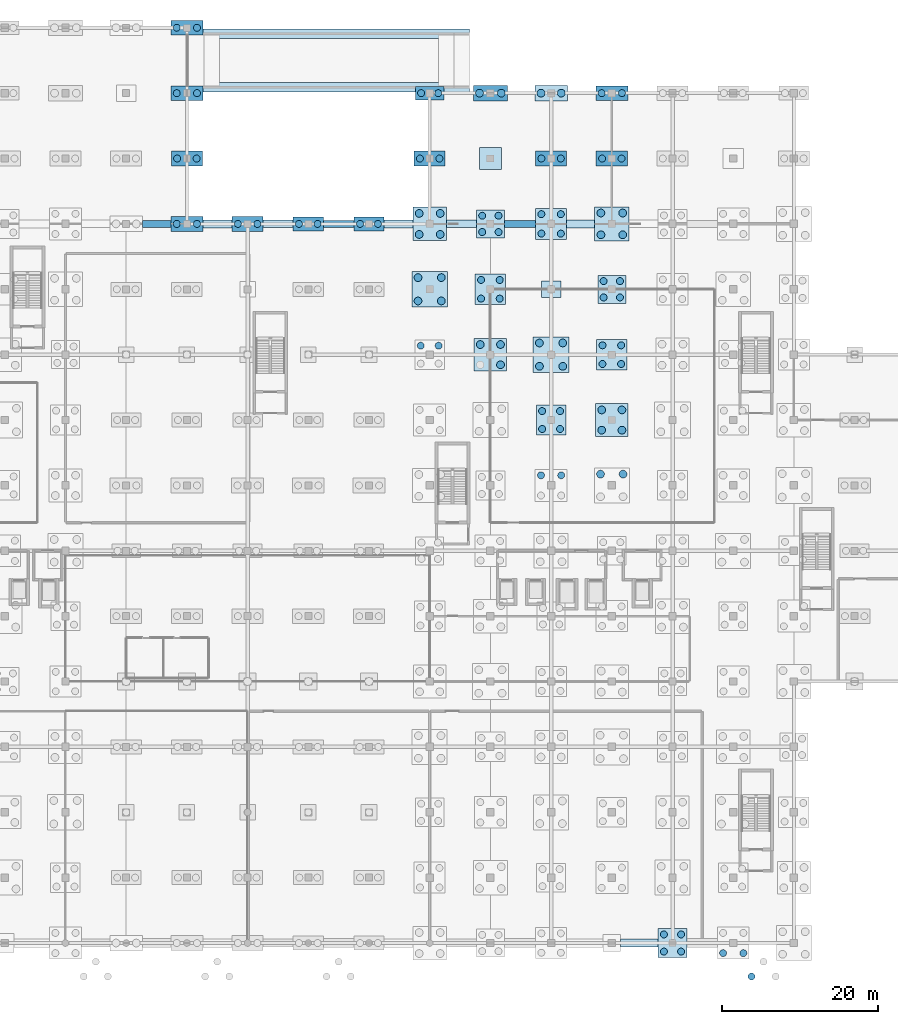
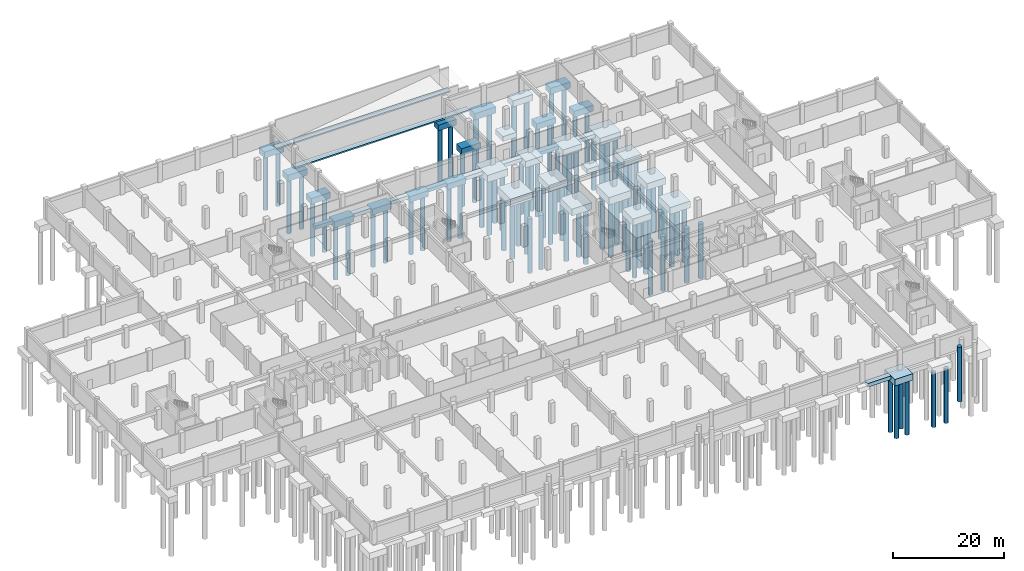
# One storey, part 6 of 30: 88 piles, 40 footings.
"""IFC4 building model written with IfcOpenShell, lengths in metres."""

from ifc_helpers import new_model, si_unit, direction, frame, origin, origin_2d, place, context, subcontext, project, spatial, rectangle, circle, extrude, material, layer, layer_set, material_profile, profile_set, type_object, element, save


model = new_model("IFC4")

# Units and contexts
model_context = context("Model", 3, precision=1e-05, world=origin(), true_north=direction((0.0, 1.0)))
body_context = subcontext(model_context, "Body", "Model", "MODEL_VIEW")
ifc_project = project(units=[si_unit("LENGTHUNIT", "METRE"), si_unit("AREAUNIT", "SQUARE_METRE"), si_unit("VOLUMEUNIT", "CUBIC_METRE"), si_unit("PLANEANGLEUNIT", "RADIAN"), si_unit("MASSUNIT", "GRAM", prefix="KILO"), si_unit("THERMODYNAMICTEMPERATUREUNIT", "KELVIN"), si_unit("POWERUNIT", "WATT")], contexts=[model_context])

# Site, building, storey
site_placement = place(None, origin())
site = spatial("IfcSite", under=ifc_project, at=site_placement, CompositionType="ELEMENT")
building_placement = place(site_placement, origin())
building = spatial("IfcBuilding", under=site, at=building_placement, Name="Srebrne Nadtorze General Hospital", CompositionType="ELEMENT")
storey_placement = place(building_placement, frame((0.0, 0.0, -4.5)))
storey = spatial("IfcBuildingStorey", under=building, at=storey_placement, Name="B1", CompositionType="ELEMENT", Elevation=-4.5)

# Piles
ifc_material_1 = material(Name="Concrete C35/45", Category="concrete")
ifc_material_profile_1 = material_profile(ifc_material_1, circle(Radius=0.5, at=origin_2d()), Name="PILE-D1000")
ifc_profile_set_1 = profile_set([ifc_material_profile_1], Name="Concrete C35/45")
pile_type_1 = type_object("IfcPileType", Name="Bored concrete pile D1000", PredefinedType="BORED", material=ifc_profile_set_1)
for number, where, z_axis, x_axis, name in (
    (1, (99.89990234375, 82.5, -2.199951171875), (0.0, 0.0, -1.0), (1.0, 0.0, 0.0), "Bored pile PL-B1-0452"),
    (2, (102.89990234375, 82.5, -2.199951171875), (0.0, 0.0, -1.0), (1.0, 0.0, 0.0), "Bored pile PL-B1-0453"),
    (3, (102.89990234375, 85.5, -2.199951171875), (0.0, 0.0, -1.0), (1.0, 0.0, 0.0), "Bored pile PL-B1-0454"),
    (4, (99.89990234375, 85.5, -2.199951171875), (0.0, 0.0, -1.0), (1.0, 0.0, 0.0), "Bored pile PL-B1-0455"),
    (5, (100.050048828125, 91.050048828125, -2.14990234375), (0.0, 0.0, -1.0), (1.0, 0.0, 0.0), "Bored pile PL-B1-0456"),
    (6, (102.75, 91.050048828125, -2.14990234375), (0.0, 0.0, -1.0), (1.0, 0.0, 0.0), "Bored pile PL-B1-0457"),
    (7, (102.75, 93.75, -2.14990234375), (0.0, 0.0, -1.0), (1.0, 0.0, 0.0), "Bored pile PL-B1-0458"),
    (8, (100.050048828125, 93.75, -2.14990234375), (0.0, 0.0, -1.0), (1.0, 0.0, 0.0), "Bored pile PL-B1-0459"),
    (9, (110.5, 74.300048828125, -2.10009765625), (0.0, 0.0, -1.0), (1.0, 0.0, 0.0), "Bored pile PL-B1-0501"),
    (10, (110.5, 76.89990234375, -2.10009765625), (0.0, 0.0, -1.0), (1.0, 0.0, 0.0), "Bored pile PL-B1-0502"),
    (11, (107.89990234375, 76.89990234375, -2.10009765625), (0.0, 0.0, -1.0), (1.0, 0.0, 0.0), "Bored pile PL-B1-0503"),
    (12, (107.800048828125, 109.199951171875, -2.0), (0.0, 0.0, -1.0), (1.0, 0.0, 0.0), "Bored pile PL-B1-0512"),
    (13, (110.60009765625, 109.199951171875, -2.0), (0.0, 0.0, -1.0), (1.0, 0.0, 0.0), "Bored pile PL-B1-0513"),
    (14, (115.5, 74.10009765625, -2.199951171875), (0.0, 0.0, -1.0), (1.0, 0.0, 0.0), "Bored pile PL-B1-0550"),
    (15, (118.5, 74.10009765625, -2.199951171875), (0.0, 0.0, -1.0), (1.0, 0.0, 0.0), "Bored pile PL-B1-0551"),
    (16, (118.5, 77.10009765625, -2.199951171875), (0.0, 0.0, -1.0), (1.0, 0.0, 0.0), "Bored pile PL-B1-0552"),
    (17, (115.5, 77.10009765625, -2.199951171875), (0.0, 0.0, -1.0), (1.0, 0.0, 0.0), "Bored pile PL-B1-0553"),
    (18, (115.699951171875, 109.199951171875, -1.949951171875), (0.0, 0.0, -1.0), (1.0, 0.0, 0.0), "Bored pile PL-B1-0560"),
    (19, (118.300048828125, 109.199951171875, -1.949951171875), (0.0, 0.0, -1.0), (1.0, 0.0, 0.0), "Bored pile PL-B1-0561"),
    (20, (126.25, 60.25, -2.199951171875), (0.0, 0.0, -1.0), (1.0, 0.0, 0.0), "Bored pile PL-B1-0588"),
    (21, (123.35009765625, 60.25, -2.199951171875), (0.0, 0.0, -1.0), (1.0, 0.0, 0.0), "Bored pile PL-B1-0589"),
    (22, (123.5, 65.89990234375, -2.10009765625), (0.0, 0.0, -1.0), (1.0, 0.0, 0.0), "Bored pile PL-B1-0590"),
    (23, (126.10009765625, 65.89990234375, -2.10009765625), (0.0, 0.0, -1.0), (1.0, 0.0, 0.0), "Bored pile PL-B1-0591"),
    (24, (126.10009765625, 68.5, -2.10009765625), (0.0, 0.0, -1.0), (1.0, 0.0, 0.0), "Bored pile PL-B1-0592"),
    (25, (123.5, 68.5, -2.10009765625), (0.0, 0.0, -1.0), (1.0, 0.0, 0.0), "Bored pile PL-B1-0593"),
    (26, (123.39990234375, 91.0, -2.14990234375), (0.0, 0.0, -1.0), (1.0, 0.0, 0.0), "Bored pile PL-B1-0602"),
    (27, (126.199951171875, 91.0, -2.14990234375), (0.0, 0.0, -1.0), (1.0, 0.0, 0.0), "Bored pile PL-B1-0603"),
    (28, (126.199951171875, 93.800048828125, -2.14990234375), (0.0, 0.0, -1.0), (1.0, 0.0, 0.0), "Bored pile PL-B1-0604"),
    (29, (123.39990234375, 93.800048828125, -2.14990234375), (0.0, 0.0, -1.0), (1.0, 0.0, 0.0), "Bored pile PL-B1-0605"),
):
    element("IfcPile", number, at=place(storey_placement, frame(where, z_axis=z_axis, x_axis=x_axis)), inside=storey, type_object=pile_type_1, Name=name, PredefinedType="BORED", context=body_context, shape_type="SweptSolid", body=[
        extrude(circle(Radius=0.5, at=origin_2d()), origin(), (0.0, 0.0, 1.0), 12.0),
    ])
ifc_material_2 = material(Name="Concrete C35/45", Category="concrete")
ifc_material_profile_2 = material_profile(ifc_material_2, circle(Radius=0.449951171875, at=origin_2d()), Name="PILE-D900")
ifc_profile_set_2 = profile_set([ifc_material_profile_2], Name="Concrete C35/45")
pile_type_2 = type_object("IfcPileType", Name="Bored concrete pile D900", PredefinedType="BORED", material=ifc_profile_set_2)
for number, where, z_axis, x_axis, name in (
    (30, (68.89990234375, 92.39990234375, -1.949951171875), (0.0, 0.0, -1.0), (1.0, 0.0, 0.0), "Bored pile PL-B1-0343"),
    (31, (71.5, 92.39990234375, -1.949951171875), (0.0, 0.0, -1.0), (1.0, 0.0, 0.0), "Bored pile PL-B1-0344"),
    (32, (68.949951171875, 100.800048828125, -1.89990234375), (0.0, 0.0, -1.0), (1.0, 0.0, 0.0), "Bored pile PL-B1-0345"),
    (33, (71.449951171875, 100.800048828125, -1.89990234375), (0.0, 0.0, -1.0), (1.0, 0.0, 0.0), "Bored pile PL-B1-0346"),
    (34, (68.89990234375, 109.199951171875, -1.949951171875), (0.0, 0.0, -1.0), (1.0, 0.0, 0.0), "Bored pile PL-B1-0347"),
    (35, (71.5, 109.199951171875, -1.949951171875), (0.0, 0.0, -1.0), (1.0, 0.0, 0.0), "Bored pile PL-B1-0348"),
    (36, (68.89990234375, 117.60009765625, -1.949951171875), (0.0, 0.0, -1.0), (1.0, 0.0, 0.0), "Bored pile PL-B1-0349"),
    (37, (71.5, 117.60009765625, -1.949951171875), (0.0, 0.0, -1.0), (1.0, 0.0, 0.0), "Bored pile PL-B1-0350"),
    (38, (76.75, 92.39990234375, -1.89990234375), (0.0, 0.0, -1.0), (1.0, 0.0, 0.0), "Bored pile PL-B1-0368"),
    (39, (79.25, 92.39990234375, -1.89990234375), (0.0, 0.0, -1.0), (1.0, 0.0, 0.0), "Bored pile PL-B1-0369"),
    (40, (84.60009765625, 92.39990234375, -1.89990234375), (0.0, 0.0, -1.0), (1.0, 0.0, 0.0), "Bored pile PL-B1-0389"),
    (41, (87.0, 92.39990234375, -1.89990234375), (0.0, 0.0, -1.0), (1.0, 0.0, 0.0), "Bored pile PL-B1-0390"),
    (42, (92.449951171875, 92.39990234375, -1.85009765625), (0.0, 0.0, -1.0), (1.0, 0.0, 0.0), "Bored pile PL-B1-0410"),
    (43, (94.75, 92.39990234375, -1.85009765625), (0.0, 0.0, -1.0), (1.0, 0.0, 0.0), "Bored pile PL-B1-0411"),
    (44, (102.550048828125, 76.75, -2.0), (0.0, 0.0, -1.0), (1.0, 0.0, 0.0), "Bored pile PL-B1-0450"),
    (45, (100.25, 76.75, -2.0), (0.0, 0.0, -1.0), (1.0, 0.0, 0.0), "Bored pile PL-B1-0451"),
    (46, (100.14990234375, 100.800048828125, -1.89990234375), (0.0, 0.0, -1.0), (1.0, 0.0, 0.0), "Bored pile PL-B1-0460"),
    (47, (102.64990234375, 100.800048828125, -1.89990234375), (0.0, 0.0, -1.0), (1.0, 0.0, 0.0), "Bored pile PL-B1-0461"),
    (48, (100.300048828125, 109.199951171875, -1.85009765625), (0.0, 0.0, -1.0), (1.0, 0.0, 0.0), "Bored pile PL-B1-0462"),
    (49, (102.5, 109.199951171875, -1.85009765625), (0.0, 0.0, -1.0), (1.0, 0.0, 0.0), "Bored pile PL-B1-0463"),
    (50, (108.0, 82.800048828125, -2.050048828125), (0.0, 0.0, -1.0), (1.0, 0.0, 0.0), "Bored pile PL-B1-0504"),
    (51, (110.39990234375, 82.800048828125, -2.050048828125), (0.0, 0.0, -1.0), (1.0, 0.0, 0.0), "Bored pile PL-B1-0505"),
    (52, (110.39990234375, 85.199951171875, -2.050048828125), (0.0, 0.0, -1.0), (1.0, 0.0, 0.0), "Bored pile PL-B1-0506"),
    (53, (108.0, 85.199951171875, -2.050048828125), (0.0, 0.0, -1.0), (1.0, 0.0, 0.0), "Bored pile PL-B1-0507"),
    (54, (108.14990234375, 91.35009765625, -1.949951171875), (0.0, 0.0, -1.0), (1.0, 0.0, 0.0), "Bored pile PL-B1-0508"),
    (55, (110.25, 91.35009765625, -1.949951171875), (0.0, 0.0, -1.0), (1.0, 0.0, 0.0), "Bored pile PL-B1-0509"),
    (56, (110.25, 93.449951171875, -1.949951171875), (0.0, 0.0, -1.0), (1.0, 0.0, 0.0), "Bored pile PL-B1-0510"),
    (57, (108.14990234375, 93.449951171875, -1.949951171875), (0.0, 0.0, -1.0), (1.0, 0.0, 0.0), "Bored pile PL-B1-0511"),
    (58, (118.300048828125, 60.10009765625, -2.10009765625), (0.0, 0.0, -1.0), (1.0, 0.0, 0.0), "Bored pile PL-B1-0544"),
    (59, (115.699951171875, 60.10009765625, -2.10009765625), (0.0, 0.0, -1.0), (1.0, 0.0, 0.0), "Bored pile PL-B1-0545"),
    (60, (115.85009765625, 66.050048828125, -2.0), (0.0, 0.0, -1.0), (1.0, 0.0, 0.0), "Bored pile PL-B1-0546"),
    (61, (118.14990234375, 66.050048828125, -2.0), (0.0, 0.0, -1.0), (1.0, 0.0, 0.0), "Bored pile PL-B1-0547"),
    (62, (118.14990234375, 68.35009765625, -2.0), (0.0, 0.0, -1.0), (1.0, 0.0, 0.0), "Bored pile PL-B1-0548"),
    (63, (115.85009765625, 68.35009765625, -2.0), (0.0, 0.0, -1.0), (1.0, 0.0, 0.0), "Bored pile PL-B1-0549"),
    (64, (115.75, 91.14990234375, -2.050048828125), (0.0, 0.0, -1.0), (1.0, 0.0, 0.0), "Bored pile PL-B1-0554"),
    (65, (118.25, 91.14990234375, -2.050048828125), (0.0, 0.0, -1.0), (1.0, 0.0, 0.0), "Bored pile PL-B1-0555"),
    (66, (118.25, 93.64990234375, -2.050048828125), (0.0, 0.0, -1.0), (1.0, 0.0, 0.0), "Bored pile PL-B1-0556"),
    (67, (115.75, 93.64990234375, -2.050048828125), (0.0, 0.0, -1.0), (1.0, 0.0, 0.0), "Bored pile PL-B1-0557"),
    (68, (115.75, 100.800048828125, -1.89990234375), (0.0, 0.0, -1.0), (1.0, 0.0, 0.0), "Bored pile PL-B1-0558"),
    (69, (118.25, 100.800048828125, -1.89990234375), (0.0, 0.0, -1.0), (1.0, 0.0, 0.0), "Bored pile PL-B1-0559"),
    (70, (123.60009765625, 74.39990234375, -2.050048828125), (0.0, 0.0, -1.0), (1.0, 0.0, 0.0), "Bored pile PL-B1-0594"),
    (71, (126.0, 74.39990234375, -2.050048828125), (0.0, 0.0, -1.0), (1.0, 0.0, 0.0), "Bored pile PL-B1-0595"),
    (72, (126.0, 76.800048828125, -2.050048828125), (0.0, 0.0, -1.0), (1.0, 0.0, 0.0), "Bored pile PL-B1-0596"),
    (73, (123.60009765625, 76.800048828125, -2.050048828125), (0.0, 0.0, -1.0), (1.0, 0.0, 0.0), "Bored pile PL-B1-0597"),
    (74, (123.75, 82.949951171875, -1.949951171875), (0.0, 0.0, -1.0), (1.0, 0.0, 0.0), "Bored pile PL-B1-0598"),
    (75, (125.85009765625, 82.949951171875, -1.949951171875), (0.0, 0.0, -1.0), (1.0, 0.0, 0.0), "Bored pile PL-B1-0599"),
    (76, (125.85009765625, 85.050048828125, -1.949951171875), (0.0, 0.0, -1.0), (1.0, 0.0, 0.0), "Bored pile PL-B1-0600"),
    (77, (123.75, 85.050048828125, -1.949951171875), (0.0, 0.0, -1.0), (1.0, 0.0, 0.0), "Bored pile PL-B1-0601"),
    (78, (123.550048828125, 100.800048828125, -1.89990234375), (0.0, 0.0, -1.0), (1.0, 0.0, 0.0), "Bored pile PL-B1-0606"),
    (79, (126.050048828125, 100.800048828125, -1.89990234375), (0.0, 0.0, -1.0), (1.0, 0.0, 0.0), "Bored pile PL-B1-0607"),
    (80, (123.5, 109.199951171875, -1.949951171875), (0.0, 0.0, -1.0), (1.0, 0.0, 0.0), "Bored pile PL-B1-0608"),
    (81, (126.10009765625, 109.199951171875, -1.949951171875), (0.0, 0.0, -1.0), (1.0, 0.0, 0.0), "Bored pile PL-B1-0609"),
    (82, (131.5, -1.10009765625, -2.0), (0.0, 0.0, -1.0), (1.0, 0.0, 0.0), "Bored pile PL-B1-0610"),
    (83, (133.699951171875, -1.10009765625, -2.0), (0.0, 0.0, -1.0), (1.0, 0.0, 0.0), "Bored pile PL-B1-0611"),
    (84, (133.699951171875, 1.10009765625, -2.0), (0.0, 0.0, -1.0), (1.0, 0.0, 0.0), "Bored pile PL-B1-0612"),
    (85, (131.5, 1.10009765625, -2.0), (0.0, 0.0, -1.0), (1.0, 0.0, 0.0), "Bored pile PL-B1-0613"),
    (86, (139.10009765625, -1.300048828125, -2.10009765625), (0.0, 0.0, -1.0), (1.0, 0.0, 0.0), "Bored pile PL-B1-0662"),
    (87, (141.699951171875, -1.300048828125, -2.10009765625), (0.0, 0.0, -1.0), (1.0, 0.0, 0.0), "Bored pile PL-B1-0663"),
    (88, (142.75, -4.300048828125, 4.080078125), (0.0, 0.0, -1.0), (1.0, 0.0, 0.0), "Accessible ramp support pile 4 1"),
):
    element("IfcPile", number, at=place(storey_placement, frame(where, z_axis=z_axis, x_axis=x_axis)), inside=storey, type_object=pile_type_2, Name=name, PredefinedType="BORED", context=body_context, shape_type="SweptSolid", body=[
        extrude(circle(Radius=0.449951171875, at=origin_2d()), origin(), (0.0, 0.0, 1.0), 12.0),
    ])

# Footings
ifc_material_3 = material(Name="Concrete C35/45", Category="concrete")
ifc_layer_1 = layer(ifc_material_3, 1.35009765625)
ifc_layer_set_1 = layer_set([ifc_layer_1], Name="Concrete C35/45")
footing_type_1 = type_object("IfcFootingType", Name="Bored pile cap 3600x3600x1350", PredefinedType="PILE_CAP", material=ifc_layer_set_1)
for number, where, z_axis, x_axis, name in (
    (89, (109.199951171875, 92.39990234375, -1.949951171875), (0.0, 0.0, 1.0), (1.0, 0.0, 0.0), "Pile cap FT-B1-15-M"),
    (90, (124.800048828125, 84.0, -1.949951171875), (0.0, 0.0, 1.0), (1.0, 0.0, 0.0), "Pile cap FT-B1-17-L"),
):
    element("IfcFooting", number, at=place(storey_placement, frame(where, z_axis=z_axis, x_axis=x_axis)), inside=storey, type_object=footing_type_1, Name=name, PredefinedType="PILE_CAP", context=body_context, shape_type="SweptSolid", body=[
        extrude(rectangle(XDim=3.60009765625, YDim=3.60009765625, at=origin_2d()), origin(), (0.0, 0.0, 1.0), 1.35009765625),
    ])
ifc_material_4 = material(Name="Concrete C35/45", Category="concrete")
ifc_layer_2 = layer(ifc_material_4, 1.25)
ifc_layer_set_2 = layer_set([ifc_layer_2], Name="Concrete C35/45")
footing_type_2 = type_object("IfcFootingType", Name="Bored pile cap 3700x1750x1250", PredefinedType="PILE_CAP", material=ifc_layer_set_2)
footing_1_placement = place(storey_placement, frame((101.39990234375, 109.199951171875, -1.85009765625), z_axis=(0.0, 0.0, 1.0), x_axis=(1.0, 0.0, 0.0)))
element("IfcFooting", 91, at=footing_1_placement, inside=storey, type_object=footing_type_2, Name="Pile cap FT-B1-14-P", PredefinedType="PILE_CAP", context=body_context, shape_type="SweptSolid", body=[
    extrude(rectangle(XDim=3.699951171875, YDim=1.75, at=origin_2d()), origin(), (0.0, 0.0, 1.0), 1.25),
])
ifc_material_5 = material(Name="Concrete C35/45", Category="concrete")
ifc_layer_3 = layer(ifc_material_5, 1.39990234375)
ifc_layer_set_3 = layer_set([ifc_layer_3], Name="Concrete C35/45")
footing_type_3 = type_object("IfcFootingType", Name="Bored pile cap 3700x3700x1400", PredefinedType="PILE_CAP", material=ifc_layer_set_3)
footing_2_placement = place(storey_placement, frame((132.60009765625, 0.0, -2.0), z_axis=(0.0, 0.0, 1.0), x_axis=(1.0, 0.0, 0.0)))
element("IfcFooting", 92, at=footing_2_placement, inside=storey, type_object=footing_type_3, Name="Pile cap FT-B1-18-A", PredefinedType="PILE_CAP", context=body_context, shape_type="SweptSolid", body=[
    extrude(rectangle(XDim=3.699951171875, YDim=3.699951171875, at=origin_2d()), origin(), (0.0, 0.0, 1.0), 1.39990234375),
])
ifc_material_6 = material(Name="Concrete C35/45", Category="concrete")
ifc_layer_4 = layer(ifc_material_6, 1.25)
ifc_layer_set_4 = layer_set([ifc_layer_4], Name="Concrete C35/45")
footing_type_4 = type_object("IfcFootingType", Name="Bored pile cap 3800x1800x1250", PredefinedType="PILE_CAP", material=ifc_layer_set_4)
footing_3_placement = place(storey_placement, frame((93.60009765625, 92.39990234375, -1.85009765625), z_axis=(0.0, 0.0, 1.0), x_axis=(1.0, 0.0, 0.0)))
element("IfcFooting", 93, at=footing_3_placement, inside=storey, type_object=footing_type_4, Name="Pile cap FT-B1-13-M", PredefinedType="PILE_CAP", context=body_context, shape_type="SweptSolid", body=[
    extrude(rectangle(XDim=3.800048828125, YDim=1.800048828125, at=origin_2d()), origin(), (0.0, 0.0, 1.0), 1.25),
])
ifc_material_7 = material(Name="Concrete C35/45", Category="concrete")
ifc_layer_5 = layer(ifc_material_7, 1.39990234375)
ifc_layer_set_5 = layer_set([ifc_layer_5], Name="Concrete C35/45")
footing_type_5 = type_object("IfcFootingType", Name="Bored pile cap 3800x3800x1400", PredefinedType="PILE_CAP", material=ifc_layer_set_5)
footing_4_placement = place(storey_placement, frame((117.0, 67.199951171875, -2.0), z_axis=(0.0, 0.0, 1.0), x_axis=(1.0, 0.0, 0.0)))
element("IfcFooting", 94, at=footing_4_placement, inside=storey, type_object=footing_type_5, Name="Pile cap FT-B1-16-J", PredefinedType="PILE_CAP", context=body_context, shape_type="SweptSolid", body=[
    extrude(rectangle(XDim=3.800048828125, YDim=3.800048828125, at=origin_2d()), origin(), (0.0, 0.0, 1.0), 1.39990234375),
])
ifc_material_8 = material(Name="Concrete C35/45", Category="concrete")
ifc_layer_6 = layer(ifc_material_8, 1.300048828125)
ifc_layer_set_6 = layer_set([ifc_layer_6], Name="Concrete C35/45")
footing_type_6 = type_object("IfcFootingType", Name="Bored pile cap 3900x1800x1300", PredefinedType="PILE_CAP", material=ifc_layer_set_6)
footing_5_placement = place(storey_placement, frame((85.800048828125, 92.39990234375, -1.89990234375), z_axis=(0.0, 0.0, 1.0), x_axis=(1.0, 0.0, 0.0)))
element("IfcFooting", 95, at=footing_5_placement, inside=storey, type_object=footing_type_6, Name="Pile cap FT-B1-12-M", PredefinedType="PILE_CAP", context=body_context, shape_type="SweptSolid", body=[
    extrude(rectangle(XDim=3.89990234375, YDim=1.800048828125, at=origin_2d()), origin(), (0.0, 0.0, 1.0), 1.300048828125),
])
ifc_material_9 = material(Name="Concrete C35/45", Category="concrete")
ifc_layer_7 = layer(ifc_material_9, 1.449951171875)
ifc_layer_set_7 = layer_set([ifc_layer_7], Name="Concrete C35/45")
footing_type_7 = type_object("IfcFootingType", Name="Bored pile cap 3900x3900x1450", PredefinedType="PILE_CAP", material=ifc_layer_set_7)
for number, where, z_axis, x_axis, name in (
    (96, (109.199951171875, 84.0, -2.0498046875), (0.0, 0.0, 1.0), (1.0, 0.0, 0.0), "Pile cap FT-B1-15-L"),
    (97, (124.800048828125, 75.60009765625, -2.0498046875), (0.0, 0.0, 1.0), (1.0, 0.0, 0.0), "Pile cap FT-B1-17-K"),
):
    element("IfcFooting", number, at=place(storey_placement, frame(where, z_axis=z_axis, x_axis=x_axis)), inside=storey, type_object=footing_type_7, Name=name, PredefinedType="PILE_CAP", context=body_context, shape_type="SweptSolid", body=[
        extrude(rectangle(XDim=3.89990234375, YDim=3.89990234375, at=origin_2d()), origin(), (0.0, 0.0, 1.0), 1.449951171875),
    ])
ifc_material_10 = material(Name="Concrete C35/45", Category="concrete")
ifc_layer_8 = layer(ifc_material_10, 1.300048828125)
ifc_layer_set_8 = layer_set([ifc_layer_8], Name="Concrete C35/45")
footing_type_8 = type_object("IfcFootingType", Name="Bored pile cap 4000x1900x1300", PredefinedType="PILE_CAP", material=ifc_layer_set_8)
for number, where, z_axis, x_axis, name in (
    (98, (70.199951171875, 100.800048828125, -1.89990234375), (0.0, 0.0, 1.0), (1.0, 0.0, 0.0), "Pile cap FT-B1-10-N"),
    (99, (78.0, 92.39990234375, -1.89990234375), (0.0, 0.0, 1.0), (1.0, 0.0, 0.0), "Pile cap FT-B1-11-M"),
    (100, (101.39990234375, 100.800048828125, -1.89990234375), (0.0, 0.0, 1.0), (1.0, 0.0, 0.0), "Pile cap FT-B1-14-N"),
    (101, (117.0, 100.800048828125, -1.89990234375), (0.0, 0.0, 1.0), (1.0, 0.0, 0.0), "Pile cap FT-B1-16-N"),
    (102, (124.800048828125, 100.800048828125, -1.89990234375), (0.0, 0.0, 1.0), (1.0, 0.0, 0.0), "Pile cap FT-B1-17-N"),
):
    element("IfcFooting", number, at=place(storey_placement, frame(where, z_axis=z_axis, x_axis=x_axis)), inside=storey, type_object=footing_type_8, Name=name, PredefinedType="PILE_CAP", context=body_context, shape_type="SweptSolid", body=[
        extrude(rectangle(XDim=4.0, YDim=1.89990234375, at=origin_2d()), origin(), (0.0, 0.0, 1.0), 1.300048828125),
    ])
ifc_material_11 = material(Name="Concrete C35/45", Category="concrete")
ifc_layer_9 = layer(ifc_material_11, 1.449951171875)
ifc_layer_set_9 = layer_set([ifc_layer_9], Name="Concrete C35/45")
footing_type_9 = type_object("IfcFootingType", Name="Bored pile cap 4000x4000x1450", PredefinedType="PILE_CAP", material=ifc_layer_set_9)
footing_6_placement = place(storey_placement, frame((117.0, 92.39990234375, -2.0498046875), z_axis=(0.0, 0.0, 1.0), x_axis=(1.0, 0.0, 0.0)))
element("IfcFooting", 103, at=footing_6_placement, inside=storey, type_object=footing_type_9, Name="Pile cap FT-B1-16-M", PredefinedType="PILE_CAP", context=body_context, shape_type="SweptSolid", body=[
    extrude(rectangle(XDim=4.0, YDim=4.0, at=origin_2d()), origin(), (0.0, 0.0, 1.0), 1.449951171875),
])
ifc_material_12 = material(Name="Concrete C35/45", Category="concrete")
ifc_layer_10 = layer(ifc_material_12, 1.35009765625)
ifc_layer_set_10 = layer_set([ifc_layer_10], Name="Concrete C35/45")
footing_type_10 = type_object("IfcFootingType", Name="Bored pile cap 4100x1900x1350", PredefinedType="PILE_CAP", material=ifc_layer_set_10)
for number, where, z_axis, x_axis, name in (
    (104, (70.199951171875, 92.39990234375, -1.949951171875), (0.0, 0.0, 1.0), (1.0, 0.0, 0.0), "Pile cap FT-B1-10-M"),
    (105, (70.199951171875, 109.199951171875, -1.949951171875), (0.0, 0.0, 1.0), (1.0, 0.0, 0.0), "Pile cap FT-B1-10-P"),
    (106, (70.199951171875, 117.60009765625, -1.949951171875), (0.0, 0.0, 1.0), (1.0, 0.0, 0.0), "Pile cap FT-B1-10-Q"),
    (107, (124.800048828125, 109.199951171875, -1.949951171875), (0.0, 0.0, 1.0), (1.0, 0.0, 0.0), "Pile cap FT-B1-17-P"),
):
    element("IfcFooting", number, at=place(storey_placement, frame(where, z_axis=z_axis, x_axis=x_axis)), inside=storey, type_object=footing_type_10, Name=name, PredefinedType="PILE_CAP", context=body_context, shape_type="SweptSolid", body=[
        extrude(rectangle(XDim=4.10009765625, YDim=1.89990234375, at=origin_2d()), origin(), (0.0, 0.0, 1.0), 1.35009765625),
    ])
ifc_material_13 = material(Name="Concrete C35/45", Category="concrete")
ifc_layer_11 = layer(ifc_material_13, 1.35009765625)
ifc_layer_set_11 = layer_set([ifc_layer_11], Name="Concrete C35/45")
footing_type_11 = type_object("IfcFootingType", Name="Bored pile cap 4200x2000x1350", PredefinedType="PILE_CAP", material=ifc_layer_set_11)
footing_7_placement = place(storey_placement, frame((117.0, 109.199951171875, -1.949951171875), z_axis=(0.0, 0.0, 1.0), x_axis=(1.0, 0.0, 0.0)))
element("IfcFooting", 108, at=footing_7_placement, inside=storey, type_object=footing_type_11, Name="Pile cap FT-B1-16-P", PredefinedType="PILE_CAP", context=body_context, shape_type="SweptSolid", body=[
    extrude(rectangle(XDim=4.199951171875, YDim=2.0, at=origin_2d()), origin(), (0.0, 0.0, 1.0), 1.35009765625),
])
ifc_material_14 = material(Name="Concrete C35/45", Category="concrete")
ifc_layer_12 = layer(ifc_material_14, 1.5)
ifc_layer_set_12 = layer_set([ifc_layer_12], Name="Concrete C35/45")
footing_type_12 = type_object("IfcFootingType", Name="Bored pile cap 4200x4200x1500", PredefinedType="PILE_CAP", material=ifc_layer_set_12)
for number, where, z_axis, x_axis, name in (
    (109, (109.199951171875, 75.60009765625, -2.10009765625), (0.0, 0.0, 1.0), (1.0, 0.0, 0.0), "Pile cap FT-B1-15-K"),
    (110, (124.800048828125, 67.199951171875, -2.10009765625), (0.0, 0.0, 1.0), (1.0, 0.0, 0.0), "Pile cap FT-B1-17-J"),
):
    element("IfcFooting", number, at=place(storey_placement, frame(where, z_axis=z_axis, x_axis=x_axis)), inside=storey, type_object=footing_type_12, Name=name, PredefinedType="PILE_CAP", context=body_context, shape_type="SweptSolid", body=[
        extrude(rectangle(XDim=4.199951171875, YDim=4.199951171875, at=origin_2d()), origin(), (0.0, 0.0, 1.0), 1.5),
    ])
ifc_material_15 = material(Name="Concrete C35/45", Category="concrete")
ifc_layer_13 = layer(ifc_material_15, 1.550048828125)
ifc_layer_set_13 = layer_set([ifc_layer_13], Name="Concrete C35/45")
footing_type_13 = type_object("IfcFootingType", Name="Bored pile cap 4300x4300x1550", PredefinedType="PILE_CAP", material=ifc_layer_set_13)
footing_8_placement = place(storey_placement, frame((101.39990234375, 92.39990234375, -2.14990234375), z_axis=(0.0, 0.0, 1.0), x_axis=(1.0, 0.0, 0.0)))
element("IfcFooting", 111, at=footing_8_placement, inside=storey, type_object=footing_type_13, Name="Pile cap FT-B1-14-M", PredefinedType="PILE_CAP", context=body_context, shape_type="SweptSolid", body=[
    extrude(rectangle(XDim=4.300048828125, YDim=4.300048828125, at=origin_2d()), origin(), (0.0, 0.0, 1.0), 1.550048828125),
])
ifc_material_16 = material(Name="Concrete C35/45", Category="concrete")
ifc_layer_14 = layer(ifc_material_16, 1.39990234375)
ifc_layer_set_14 = layer_set([ifc_layer_14], Name="Concrete C35/45")
footing_type_14 = type_object("IfcFootingType", Name="Bored pile cap 4400x2000x1400", PredefinedType="PILE_CAP", material=ifc_layer_set_14)
footing_9_placement = place(storey_placement, frame((109.199951171875, 109.199951171875, -2.0), z_axis=(0.0, 0.0, 1.0), x_axis=(1.0, 0.0, 0.0)))
element("IfcFooting", 112, at=footing_9_placement, inside=storey, type_object=footing_type_14, Name="Pile cap FT-B1-15-P", PredefinedType="PILE_CAP", context=body_context, shape_type="SweptSolid", body=[
    extrude(rectangle(XDim=4.39990234375, YDim=2.0, at=origin_2d()), origin(), (0.0, 0.0, 1.0), 1.39990234375),
])
ifc_material_17 = material(Name="Concrete C35/45", Category="concrete")
ifc_layer_15 = layer(ifc_material_17, 1.550048828125)
ifc_layer_set_15 = layer_set([ifc_layer_15], Name="Concrete C35/45")
footing_type_15 = type_object("IfcFootingType", Name="Bored pile cap 4400x4400x1550", PredefinedType="PILE_CAP", material=ifc_layer_set_15)
footing_10_placement = place(storey_placement, frame((124.800048828125, 92.39990234375, -2.14990234375), z_axis=(0.0, 0.0, 1.0), x_axis=(1.0, 0.0, 0.0)))
element("IfcFooting", 113, at=footing_10_placement, inside=storey, type_object=footing_type_15, Name="Pile cap FT-B1-17-M", PredefinedType="PILE_CAP", context=body_context, shape_type="SweptSolid", body=[
    extrude(rectangle(XDim=4.39990234375, YDim=4.39990234375, at=origin_2d()), origin(), (0.0, 0.0, 1.0), 1.550048828125),
])
ifc_material_18 = material(Name="Concrete C35/45", Category="concrete")
ifc_layer_16 = layer(ifc_material_18, 1.60009765625)
ifc_layer_set_16 = layer_set([ifc_layer_16], Name="Concrete C35/45")
footing_type_16 = type_object("IfcFootingType", Name="Bored pile cap 4600x4600x1600", PredefinedType="PILE_CAP", material=ifc_layer_set_16)
for number, where, z_axis, x_axis, name in (
    (114, (101.39990234375, 84.0, -2.199951171875), (0.0, 0.0, 1.0), (1.0, 0.0, 0.0), "Pile cap FT-B1-14-L"),
    (115, (117.0, 75.60009765625, -2.199951171875), (0.0, 0.0, 1.0), (1.0, 0.0, 0.0), "Pile cap FT-B1-16-K"),
):
    element("IfcFooting", number, at=place(storey_placement, frame(where, z_axis=z_axis, x_axis=x_axis)), inside=storey, type_object=footing_type_16, Name=name, PredefinedType="PILE_CAP", context=body_context, shape_type="SweptSolid", body=[
        extrude(rectangle(XDim=4.60009765625, YDim=4.60009765625, at=origin_2d()), origin(), (0.0, 0.0, 1.0), 1.60009765625),
    ])
ifc_material_19 = material(Name="Concrete C35/45", Category="concrete")
ifc_layer_17 = layer(ifc_material_19, 1.0)
ifc_layer_set_17 = layer_set([ifc_layer_17], Name="Concrete C35/45")
footing_type_17 = type_object("IfcFootingType", Name="Isolated pad footing 2500x2100x1000", PredefinedType="PAD_FOOTING", material=ifc_layer_set_17)
footing_11_placement = place(storey_placement, frame((117.0, 84.0, -1.60009765625), z_axis=(0.0, 0.0, 1.0), x_axis=(1.0, 0.0, 0.0)))
element("IfcFooting", 116, at=footing_11_placement, inside=storey, type_object=footing_type_17, Name="Pad footing FT-B1-16-L", PredefinedType="PAD_FOOTING", context=body_context, shape_type="SweptSolid", body=[
    extrude(rectangle(XDim=2.5, YDim=2.10009765625, at=origin_2d()), origin(), (0.0, 0.0, 1.0), 1.0),
])
ifc_material_20 = material(Name="Concrete C35/45", Category="concrete")
ifc_layer_18 = layer(ifc_material_20, 1.10009765625)
ifc_layer_set_18 = layer_set([ifc_layer_18], Name="Concrete C35/45")
footing_type_18 = type_object("IfcFootingType", Name="Isolated pad footing 2800x2800x1100", PredefinedType="PAD_FOOTING", material=ifc_layer_set_18)
footing_12_placement = place(storey_placement, frame((109.199951171875, 100.800048828125, -1.699951171875), z_axis=(0.0, 0.0, 1.0), x_axis=(1.0, 0.0, 0.0)))
element("IfcFooting", 117, at=footing_12_placement, inside=storey, type_object=footing_type_18, Name="Pad footing FT-B1-15-N", PredefinedType="PAD_FOOTING", context=body_context, shape_type="SweptSolid", body=[
    extrude(rectangle(XDim=2.800048828125, YDim=2.800048828125, at=origin_2d()), origin(), (0.0, 0.0, 1.0), 1.10009765625),
])
ifc_material_21 = material(Name="Concrete C35/45", Category="concrete")
ifc_layer_19 = layer(ifc_material_21, 0.800048828125)
ifc_layer_set_19 = layer_set([ifc_layer_19], Name="Concrete C35/45")
footing_type_19 = type_object("IfcFootingType", Name="Wall strip footing 1000x800", PredefinedType="STRIP_FOOTING", material=ifc_layer_set_19)
footing_13_placement = place(storey_placement, frame((128.324951171875, 0.0, -1.39990234375), z_axis=(0.0, 0.0, 1.0), x_axis=(1.0, 0.0, 0.0)))
element("IfcFooting", 118, at=footing_13_placement, inside=storey, type_object=footing_type_19, Name="Wall strip footing SF-B1-27", PredefinedType="STRIP_FOOTING", context=body_context, shape_type="SweptSolid", body=[
    extrude(rectangle(XDim=4.85009765625, YDim=1.0, at=origin_2d()), origin(), (0.0, 0.0, 1.0), 0.800048828125),
])
ifc_material_22 = material(Name="Concrete C35/45", Category="concrete")
ifc_layer_20 = layer(ifc_material_22, 0.800048828125)
ifc_layer_set_20 = layer_set([ifc_layer_20], Name="Concrete C35/45")
footing_type_20 = type_object("IfcFootingType", Name="Wall strip footing 1050x800", PredefinedType="STRIP_FOOTING", material=ifc_layer_set_20)
for number, where, z_axis, x_axis, name in (
    (119, (74.125, 92.39990234375, -1.39990234375), (0.0, 0.0, 1.0), (1.0, 0.0, 0.0), "Wall strip footing SF-B1-14"),
    (120, (97.375, 92.39990234375, -1.39990234375), (0.0, 0.0, 1.0), (1.0, 0.0, 0.0), "Wall strip footing SF-B1-20"),
):
    element("IfcFooting", number, at=place(storey_placement, frame(where, z_axis=z_axis, x_axis=x_axis)), inside=storey, type_object=footing_type_20, Name=name, PredefinedType="STRIP_FOOTING", context=body_context, shape_type="SweptSolid", body=[
        extrude(rectangle(XDim=3.75, YDim=1.050048828125, at=origin_2d()), origin(), (0.0, 0.0, 1.0), 0.800048828125),
    ])
footing_14_placement = place(storey_placement, frame((120.800048828125, 92.39990234375, -1.39990234375), z_axis=(0.0, 0.0, 1.0), x_axis=(1.0, 0.0, 0.0)))
element("IfcFooting", 121, at=footing_14_placement, inside=storey, type_object=footing_type_20, Name="Wall strip footing SF-B1-26", PredefinedType="STRIP_FOOTING", context=body_context, shape_type="SweptSolid", body=[
    extrude(rectangle(XDim=3.60009765625, YDim=1.050048828125, at=origin_2d()), origin(), (0.0, 0.0, 1.0), 0.800048828125),
])
ifc_material_23 = material(Name="Concrete C35/45", Category="concrete")
ifc_layer_21 = layer(ifc_material_23, 0.75)
ifc_layer_set_21 = layer_set([ifc_layer_21], Name="Concrete C35/45")
footing_type_21 = type_object("IfcFootingType", Name="Wall strip footing 900x750", PredefinedType="STRIP_FOOTING", material=ifc_layer_set_21)
footing_15_placement = place(storey_placement, frame((66.324951171875, 92.39990234375, -1.35009765625), z_axis=(0.0, 0.0, 1.0), x_axis=(1.0, 0.0, 0.0)))
element("IfcFooting", 122, at=footing_15_placement, inside=storey, type_object=footing_type_21, Name="Wall strip footing SF-B1-12", PredefinedType="STRIP_FOOTING", context=body_context, shape_type="SweptSolid", body=[
    extrude(rectangle(XDim=3.64990234375, YDim=0.89990234375, at=origin_2d()), origin(), (0.0, 0.0, 1.0), 0.75),
])
footing_16_placement = place(storey_placement, frame((89.72509765625, 92.39990234375, -1.35009765625), z_axis=(0.0, 0.0, 1.0), x_axis=(1.0, 0.0, 0.0)))
element("IfcFooting", 123, at=footing_16_placement, inside=storey, type_object=footing_type_21, Name="Wall strip footing SF-B1-18", PredefinedType="STRIP_FOOTING", context=body_context, shape_type="SweptSolid", body=[
    extrude(rectangle(XDim=3.949951171875, YDim=0.89990234375, at=origin_2d()), origin(), (0.0, 0.0, 1.0), 0.75),
])
footing_17_placement = place(storey_placement, frame((113.0, 92.39990234375, -1.35009765625), z_axis=(0.0, 0.0, 1.0), x_axis=(1.0, 0.0, 0.0)))
element("IfcFooting", 124, at=footing_17_placement, inside=storey, type_object=footing_type_21, Name="Wall strip footing SF-B1-24", PredefinedType="STRIP_FOOTING", context=body_context, shape_type="SweptSolid", body=[
    extrude(rectangle(XDim=4.0, YDim=0.89990234375, at=origin_2d()), origin(), (0.0, 0.0, 1.0), 0.75),
])
ifc_material_24 = material(Name="Concrete C35/45", Category="concrete")
ifc_layer_22 = layer(ifc_material_24, 0.75)
ifc_layer_set_22 = layer_set([ifc_layer_22], Name="Concrete C35/45")
footing_type_22 = type_object("IfcFootingType", Name="Wall strip footing 950x750", PredefinedType="STRIP_FOOTING", material=ifc_layer_set_22)
for number, where, z_axis, x_axis, name in (
    (125, (81.925048828125, 92.39990234375, -1.35009765625), (0.0, 0.0, 1.0), (1.0, 0.0, 0.0), "Wall strip footing SF-B1-16"),
    (126, (105.47509765625, 92.39990234375, -1.35009765625), (0.0, 0.0, 1.0), (1.0, 0.0, 0.0), "Wall strip footing SF-B1-22"),
):
    element("IfcFooting", number, at=place(storey_placement, frame(where, z_axis=z_axis, x_axis=x_axis)), inside=storey, type_object=footing_type_22, Name=name, PredefinedType="STRIP_FOOTING", context=body_context, shape_type="SweptSolid", body=[
        extrude(rectangle(XDim=3.85009765625, YDim=0.949951171875, at=origin_2d()), origin(), (0.0, 0.0, 1.0), 0.75),
    ])
ifc_material_25 = material(Name="Concrete C35/45", Category="concrete")
ifc_layer_23 = layer(ifc_material_25, 0.300048828125)
ifc_layer_set_23 = layer_set([ifc_layer_23], Name="Concrete C35/45")
footing_type_23 = type_object("IfcFootingType", Name="Wall strip footing RMP", PredefinedType="STRIP_FOOTING", material=ifc_layer_set_23)
for number, where, z_axis, x_axis, name in (
    (127, (88.471435546875, 109.97509765625, -0.580078125), (0.0, 0.0, 1.0), (1.0, 0.0, 0.0), "Vehicle ramp trench strip footing south"),
    (128, (88.471435546875, 116.824951171875, -0.580078125), (0.0, 0.0, 1.0), (1.0, 0.0, 0.0), "Vehicle ramp trench strip footing north"),
):
    element("IfcFooting", number, at=place(storey_placement, frame(where, z_axis=z_axis, x_axis=x_axis)), inside=storey, type_object=footing_type_23, Name=name, PredefinedType="STRIP_FOOTING", context=body_context, shape_type="SweptSolid", body=[
        extrude(rectangle(XDim=36.142822265625, YDim=1.199951171875, at=origin_2d()), origin(), (0.0, 0.0, 1.0), 0.300048828125),
    ])

save(model, "model.ifc")
